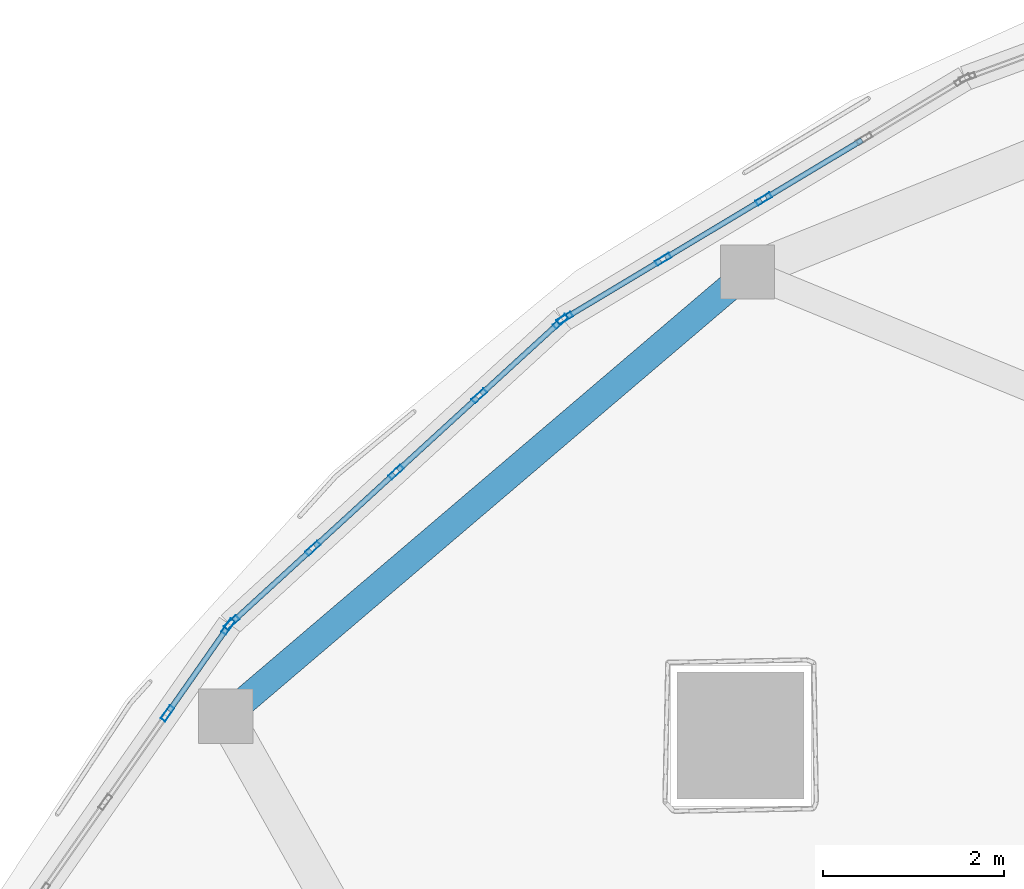
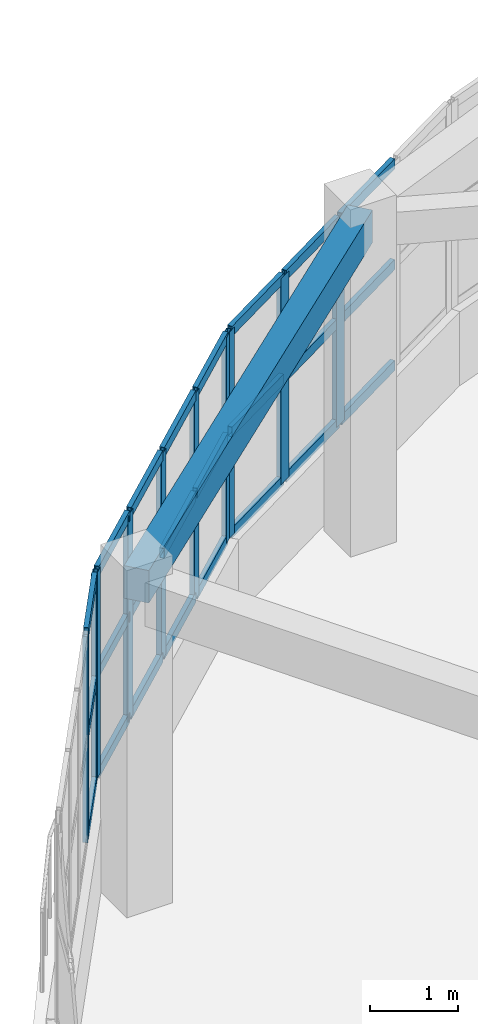
# One storey, part 22 of 69: 34 members, 1 beam, 3 elements without a shape of their own.
"""IFC4 building model written with IfcOpenShell, lengths in metres."""

from ifc_helpers import new_model, si_unit, direction, frame, origin, origin_2d, place, context, subcontext, project, spatial, rectangle, hollow_rectangle, extrude, material, layer, layer_set, material_profile, profile_set, type_object, element, aggregate, save


model = new_model("IFC4")

# Units and contexts
model_context = context("Model", 3, precision=1e-05, world=origin(), true_north=direction((0.0, 1.0)))
body_context = subcontext(model_context, "Body", "Model", "MODEL_VIEW")
ifc_project = project(units=[si_unit("LENGTHUNIT", "METRE"), si_unit("AREAUNIT", "SQUARE_METRE"), si_unit("VOLUMEUNIT", "CUBIC_METRE"), si_unit("PLANEANGLEUNIT", "RADIAN"), si_unit("MASSUNIT", "GRAM", prefix="KILO")], contexts=[model_context])

# Site, building, storey
site_placement = place(None, origin())
site = spatial("IfcSite", under=ifc_project, at=site_placement, CompositionType="ELEMENT")
building_placement = place(site_placement, origin())
building = spatial("IfcBuilding", under=site, at=building_placement, Name="Pelvatis Terrace Science Centre", CompositionType="ELEMENT")
storey_placement = place(building_placement, frame((0.0, 0.0, 15.0)))
storey = spatial("IfcBuildingStorey", under=building, at=storey_placement, Name="L03", CompositionType="ELEMENT", Elevation=15.0)

# Beam
ifc_material_1 = material(Name="Concrete C35/45", Category="concrete")
ifc_material_profile_1 = material_profile(ifc_material_1, rectangle(XDim=0.300048828125, YDim=0.449951171875, at=origin_2d()), Name="RC-BM 300x450")
ifc_profile_set_1 = profile_set([ifc_material_profile_1], Name="Concrete C35/45")
beam_type = type_object("IfcBeamType", Name="BM-RC-300x450", PredefinedType="BEAM", material=ifc_profile_set_1)
beam_placement = place(storey_placement, frame((94.575927734375, 100.61376953125, 4.324951171875), z_axis=(-0.761281604666, -0.64842140495, 0.0), x_axis=(0.64842140495, -0.761281604666, 0.0)))
element("IfcBeam", 1, at=beam_placement, inside=storey, type_object=beam_type, Name="Beam BM-L03-3021", PredefinedType="BEAM", context=body_context, shape_type="SweptSolid", body=[
    extrude(rectangle(XDim=0.300048828125, YDim=0.449951171875, at=origin_2d()), origin(), (0.0, 0.0, 1.0), 7.560546875),
])

# Curtain wall, members
ifc_material_2 = material(Name="Bronze-anodised aluminium and laminated glass", Category="aluminium")
ifc_layer = layer(ifc_material_2, 0.179931640625)
ifc_layer_set = layer_set([ifc_layer], Name="Bronze-anodised aluminium and laminated glass")
curtain_wall_type = type_object("IfcCurtainWallType", Name="CW-RIBBON-A", PredefinedType="NOTDEFINED", material=ifc_layer_set)
curtain_wall_1_placement = place(storey_placement, origin())
curtain_wall_1 = element("IfcCurtainWall", 2, at=curtain_wall_1_placement, inside=storey, type_object=curtain_wall_type, Name="Ribbon curtain wall CW-193 (L03)", PredefinedType="NOTDEFINED")
ifc_material_3 = material(Name="Bronze-anodised aluminium 6063-T6", Category="aluminium")
ifc_material_profile_2 = material_profile(ifc_material_3, hollow_rectangle(XDim=0.06005859375, YDim=0.179931640625, WallThickness=0.00390625, at=origin_2d()), Name="ALU-MUL 60x180")
ifc_profile_set_2 = profile_set([ifc_material_profile_2], Name="Bronze-anodised aluminium 6063-T6")
member_type_1 = type_object("IfcMemberType", Name="CWM-60x180", PredefinedType="MULLION", material=ifc_profile_set_2)
member_1_placement = place(storey_placement, frame((94.755126953125, 101.419189453125, 1.02001953125), z_axis=(0.0, 0.0, 1.0), x_axis=(0.51399559594, -0.857792823096, 0.0)))
member_1 = element("IfcMember", 3, at=member_1_placement, type_object=member_type_1, Name="CW-193 mullion 3", PredefinedType="MULLION", context=body_context, shape_type="SweptSolid", body=[
    extrude(hollow_rectangle(XDim=0.06005859375, YDim=0.179931640625, WallThickness=0.00390625, at=origin_2d()), origin(), (0.0, 0.0, 1.0), 2.85009765625),
])
member_2_placement = place(storey_placement, frame((93.645263671875, 100.754150390625, 1.02001953125), z_axis=(0.0, 0.0, 1.0), x_axis=(0.51399559594, -0.857792823096, 0.0)))
member_2 = element("IfcMember", 4, at=member_2_placement, type_object=member_type_1, Name="CW-193 mullion 4", PredefinedType="MULLION", context=body_context, shape_type="SweptSolid", body=[
    extrude(hollow_rectangle(XDim=0.06005859375, YDim=0.179931640625, WallThickness=0.00390625, at=origin_2d()), origin(), (0.0, 0.0, 1.0), 2.85009765625),
])
member_3_placement = place(storey_placement, frame((92.56103515625, 100.1044921875, 1.02001953125), z_axis=(0.0, 0.0, 1.0), x_axis=(0.51399559594, -0.857792823096, 0.0)))
member_3 = element("IfcMember", 5, at=member_3_placement, type_object=member_type_1, Name="CW-193 mullion 5", PredefinedType="MULLION", context=body_context, shape_type="SweptSolid", body=[
    extrude(hollow_rectangle(XDim=0.06005859375, YDim=0.179931640625, WallThickness=0.00390625, at=origin_2d()), origin(), (0.0, 0.0, 1.0), 2.85009765625),
])

curtain_wall_2_placement = place(storey_placement, origin())
curtain_wall_2 = element("IfcCurtainWall", 6, at=curtain_wall_2_placement, inside=storey, type_object=curtain_wall_type, Name="Ribbon curtain wall CW-194 (L03)", PredefinedType="NOTDEFINED")
member_4_placement = place(storey_placement, frame((92.51318359375, 100.06884765625, 1.02001953125), z_axis=(0.0, 0.0, 1.0), x_axis=(0.675451772708, -0.737404165127, 0.0)))
member_4 = element("IfcMember", 7, at=member_4_placement, type_object=member_type_1, Name="CW-194 mullion 1", PredefinedType="MULLION", context=body_context, shape_type="SweptSolid", body=[
    extrude(hollow_rectangle(XDim=0.06005859375, YDim=0.179931640625, WallThickness=0.00390625, at=origin_2d()), origin(), (0.0, 0.0, 1.0), 2.85009765625),
])
member_5_placement = place(storey_placement, frame((91.6171875, 99.248291015625, 1.02001953125), z_axis=(0.0, 0.0, 1.0), x_axis=(0.675451772708, -0.737404165127, 0.0)))
member_5 = element("IfcMember", 8, at=member_5_placement, type_object=member_type_1, Name="CW-194 mullion 2", PredefinedType="MULLION", context=body_context, shape_type="SweptSolid", body=[
    extrude(hollow_rectangle(XDim=0.06005859375, YDim=0.179931640625, WallThickness=0.00390625, at=origin_2d()), origin(), (0.0, 0.0, 1.0), 2.85009765625),
])
member_6_placement = place(storey_placement, frame((90.69921875, 98.407470703125, 1.02001953125), z_axis=(0.0, 0.0, 1.0), x_axis=(0.675451772708, -0.737404165127, 0.0)))
member_6 = element("IfcMember", 9, at=member_6_placement, type_object=member_type_1, Name="CW-194 mullion 3", PredefinedType="MULLION", context=body_context, shape_type="SweptSolid", body=[
    extrude(hollow_rectangle(XDim=0.06005859375, YDim=0.179931640625, WallThickness=0.00390625, at=origin_2d()), origin(), (0.0, 0.0, 1.0), 2.85009765625),
])
member_7_placement = place(storey_placement, frame((89.78125, 97.56640625, 1.02001953125), z_axis=(0.0, 0.0, 1.0), x_axis=(0.675451772708, -0.737404165127, 0.0)))
member_7 = element("IfcMember", 10, at=member_7_placement, type_object=member_type_1, Name="CW-194 mullion 4", PredefinedType="MULLION", context=body_context, shape_type="SweptSolid", body=[
    extrude(hollow_rectangle(XDim=0.06005859375, YDim=0.179931640625, WallThickness=0.00390625, at=origin_2d()), origin(), (0.0, 0.0, 1.0), 2.85009765625),
])
member_8_placement = place(storey_placement, frame((88.885498046875, 96.745849609375, 1.02001953125), z_axis=(0.0, 0.0, 1.0), x_axis=(0.675451772708, -0.737404165127, 0.0)))
member_8 = element("IfcMember", 11, at=member_8_placement, type_object=member_type_1, Name="CW-194 mullion 5", PredefinedType="MULLION", context=body_context, shape_type="SweptSolid", body=[
    extrude(hollow_rectangle(XDim=0.06005859375, YDim=0.179931640625, WallThickness=0.00390625, at=origin_2d()), origin(), (0.0, 0.0, 1.0), 2.85009765625),
])

curtain_wall_3_placement = place(storey_placement, origin())
curtain_wall_3 = element("IfcCurtainWall", 12, at=curtain_wall_3_placement, inside=storey, type_object=curtain_wall_type, Name="Ribbon curtain wall CW-195 (L03)", PredefinedType="NOTDEFINED")
member_9_placement = place(storey_placement, frame((88.84619140625, 96.700927734375, 1.02001953125), z_axis=(0.0, 0.0, 1.0), x_axis=(0.81922799303, -0.573467955021, 0.0)))
member_9 = element("IfcMember", 13, at=member_9_placement, type_object=member_type_1, Name="CW-195 mullion 1", PredefinedType="MULLION", context=body_context, shape_type="SweptSolid", body=[
    extrude(hollow_rectangle(XDim=0.06005859375, YDim=0.179931640625, WallThickness=0.00390625, at=origin_2d()), origin(), (0.0, 0.0, 1.0), 2.85009765625),
])
member_10_placement = place(storey_placement, frame((88.17724609375, 95.74560546875, 1.02001953125), z_axis=(0.0, 0.0, 1.0), x_axis=(0.81922799303, -0.573467955021, 0.0)))
member_10 = element("IfcMember", 14, at=member_10_placement, type_object=member_type_1, Name="CW-195 mullion 2", PredefinedType="MULLION", context=body_context, shape_type="SweptSolid", body=[
    extrude(hollow_rectangle(XDim=0.06005859375, YDim=0.179931640625, WallThickness=0.00390625, at=origin_2d()), origin(), (0.0, 0.0, 1.0), 2.85009765625),
])

# Member
ifc_material_4 = material(Name="Bronze-anodised aluminium 6063-T6", Category="aluminium")
ifc_material_profile_3 = material_profile(ifc_material_4, hollow_rectangle(XDim=0.06005859375, YDim=0.139892578125, WallThickness=0.00390625, at=origin_2d()), Name="ALU-TRN 60x140")
ifc_profile_set_3 = profile_set([ifc_material_profile_3], Name="Bronze-anodised aluminium 6063-T6")
member_type_2 = type_object("IfcMemberType", Name="CWT-60x140", PredefinedType="USERDEFINED", material=ifc_profile_set_3)
member_11_placement = place(storey_placement, frame((95.83935546875, 102.06884765625, 1.050048828125), z_axis=(-0.857806972288, -0.513971982012, 0.0), x_axis=(0.513971982012, -0.857806972288, 0.0)))
member_11 = element("IfcMember", 15, at=member_11_placement, type_object=member_type_2, Name="CW-193 transom 2.1", ObjectType="TRANSOM", PredefinedType="USERDEFINED", context=body_context, shape_type="SweptSolid", body=[
    extrude(hollow_rectangle(XDim=0.06005859375, YDim=0.139892578125, WallThickness=0.00390625, at=origin_2d()), origin(), (0.0, 0.0, 1.0), 1.234130859375),
])

member_12_placement = place(storey_placement, frame((95.83935546875, 102.06884765625, 2.445068359375), z_axis=(-0.857806972288, -0.513971982012, 0.0), x_axis=(0.513971982012, -0.857806972288, 0.0)))
member_12 = element("IfcMember", 16, at=member_12_placement, type_object=member_type_2, Name="CW-193 transom 2.2", ObjectType="TRANSOM", PredefinedType="USERDEFINED", context=body_context, shape_type="SweptSolid", body=[
    extrude(hollow_rectangle(XDim=0.06005859375, YDim=0.139892578125, WallThickness=0.00390625, at=origin_2d()), origin(), (0.0, 0.0, 1.0), 1.234130859375),
])

member_13_placement = place(storey_placement, frame((95.83935546875, 102.06884765625, 3.840087890625), z_axis=(-0.857806972288, -0.513971982012, 0.0), x_axis=(0.513971982012, -0.857806972288, 0.0)))
member_13 = element("IfcMember", 17, at=member_13_placement, type_object=member_type_2, Name="CW-193 transom 2.3", ObjectType="TRANSOM", PredefinedType="USERDEFINED", context=body_context, shape_type="SweptSolid", body=[
    extrude(hollow_rectangle(XDim=0.06005859375, YDim=0.139892578125, WallThickness=0.00390625, at=origin_2d()), origin(), (0.0, 0.0, 1.0), 1.234130859375),
])

member_14_placement = place(storey_placement, frame((94.7294921875, 101.40380859375, 1.050048828125), z_axis=(-0.857806972288, -0.513971982012, 0.0), x_axis=(0.513971982012, -0.857806972288, 0.0)))
member_14 = element("IfcMember", 18, at=member_14_placement, type_object=member_type_2, Name="CW-193 transom 3.1", ObjectType="TRANSOM", PredefinedType="USERDEFINED", context=body_context, shape_type="SweptSolid", body=[
    extrude(hollow_rectangle(XDim=0.06005859375, YDim=0.139892578125, WallThickness=0.00390625, at=origin_2d()), origin(), (0.0, 0.0, 1.0), 1.234130859375),
])

member_15_placement = place(storey_placement, frame((94.7294921875, 101.40380859375, 2.445068359375), z_axis=(-0.857806972288, -0.513971982012, 0.0), x_axis=(0.513971982012, -0.857806972288, 0.0)))
member_15 = element("IfcMember", 19, at=member_15_placement, type_object=member_type_2, Name="CW-193 transom 3.2", ObjectType="TRANSOM", PredefinedType="USERDEFINED", context=body_context, shape_type="SweptSolid", body=[
    extrude(hollow_rectangle(XDim=0.06005859375, YDim=0.139892578125, WallThickness=0.00390625, at=origin_2d()), origin(), (0.0, 0.0, 1.0), 1.234130859375),
])

member_16_placement = place(storey_placement, frame((94.7294921875, 101.40380859375, 3.840087890625), z_axis=(-0.857806972288, -0.513971982012, 0.0), x_axis=(0.513971982012, -0.857806972288, 0.0)))
member_16 = element("IfcMember", 20, at=member_16_placement, type_object=member_type_2, Name="CW-193 transom 3.3", ObjectType="TRANSOM", PredefinedType="USERDEFINED", context=body_context, shape_type="SweptSolid", body=[
    extrude(hollow_rectangle(XDim=0.06005859375, YDim=0.139892578125, WallThickness=0.00390625, at=origin_2d()), origin(), (0.0, 0.0, 1.0), 1.234130859375),
])

member_17_placement = place(storey_placement, frame((93.619384765625, 100.73876953125, 1.050048828125), z_axis=(-0.857761194899, -0.514048375666, 0.0), x_axis=(0.514048375666, -0.857761194899, 0.0)))
member_17 = element("IfcMember", 21, at=member_17_placement, type_object=member_type_2, Name="CW-193 transom 4.1", ObjectType="TRANSOM", PredefinedType="USERDEFINED", context=body_context, shape_type="SweptSolid", body=[
    extrude(hollow_rectangle(XDim=0.06005859375, YDim=0.139892578125, WallThickness=0.00390625, at=origin_2d()), origin(), (0.0, 0.0, 1.0), 1.203857421875),
])

member_18_placement = place(storey_placement, frame((93.619384765625, 100.73876953125, 2.445068359375), z_axis=(-0.857761194899, -0.514048375666, 0.0), x_axis=(0.514048375666, -0.857761194899, 0.0)))
member_18 = element("IfcMember", 22, at=member_18_placement, type_object=member_type_2, Name="CW-193 transom 4.2", ObjectType="TRANSOM", PredefinedType="USERDEFINED", context=body_context, shape_type="SweptSolid", body=[
    extrude(hollow_rectangle(XDim=0.06005859375, YDim=0.139892578125, WallThickness=0.00390625, at=origin_2d()), origin(), (0.0, 0.0, 1.0), 1.203857421875),
])

member_19_placement = place(storey_placement, frame((93.619384765625, 100.73876953125, 3.840087890625), z_axis=(-0.857761194899, -0.514048375666, 0.0), x_axis=(0.514048375666, -0.857761194899, 0.0)))
member_19 = element("IfcMember", 23, at=member_19_placement, type_object=member_type_2, Name="CW-193 transom 4.3", ObjectType="TRANSOM", PredefinedType="USERDEFINED", context=body_context, shape_type="SweptSolid", body=[
    extrude(hollow_rectangle(XDim=0.06005859375, YDim=0.139892578125, WallThickness=0.00390625, at=origin_2d()), origin(), (0.0, 0.0, 1.0), 1.203857421875),
])

aggregate(curtain_wall_1, [member_1, member_2, member_3, member_11, member_12, member_13, member_14, member_15, member_16, member_17, member_18, member_19])

member_20_placement = place(storey_placement, frame((92.490966796875, 100.048583984375, 1.050048828125), z_axis=(-0.737399806304, -0.67545653129, 0.0), x_axis=(0.67545653129, -0.737399806304, 0.0)))
member_20 = element("IfcMember", 24, at=member_20_placement, type_object=member_type_2, Name="CW-194 transom 1.1", ObjectType="TRANSOM", PredefinedType="USERDEFINED", context=body_context, shape_type="SweptSolid", body=[
    extrude(hollow_rectangle(XDim=0.06005859375, YDim=0.139892578125, WallThickness=0.00390625, at=origin_2d()), origin(), (0.0, 0.0, 1.0), 1.15478515625),
])

member_21_placement = place(storey_placement, frame((92.490966796875, 100.048583984375, 2.445068359375), z_axis=(-0.737399806304, -0.67545653129, 0.0), x_axis=(0.67545653129, -0.737399806304, 0.0)))
member_21 = element("IfcMember", 25, at=member_21_placement, type_object=member_type_2, Name="CW-194 transom 1.2", ObjectType="TRANSOM", PredefinedType="USERDEFINED", context=body_context, shape_type="SweptSolid", body=[
    extrude(hollow_rectangle(XDim=0.06005859375, YDim=0.139892578125, WallThickness=0.00390625, at=origin_2d()), origin(), (0.0, 0.0, 1.0), 1.15478515625),
])

member_22_placement = place(storey_placement, frame((92.490966796875, 100.048583984375, 3.840087890625), z_axis=(-0.737399806304, -0.67545653129, 0.0), x_axis=(0.67545653129, -0.737399806304, 0.0)))
member_22 = element("IfcMember", 26, at=member_22_placement, type_object=member_type_2, Name="CW-194 transom 1.3", ObjectType="TRANSOM", PredefinedType="USERDEFINED", context=body_context, shape_type="SweptSolid", body=[
    extrude(hollow_rectangle(XDim=0.06005859375, YDim=0.139892578125, WallThickness=0.00390625, at=origin_2d()), origin(), (0.0, 0.0, 1.0), 1.15478515625),
])

member_23_placement = place(storey_placement, frame((91.59521484375, 99.22802734375, 1.050048828125), z_axis=(-0.737436319154, -0.675416667837, 0.0), x_axis=(0.675416667837, -0.737436319154, 0.0)))
member_23 = element("IfcMember", 27, at=member_23_placement, type_object=member_type_2, Name="CW-194 transom 2.1", ObjectType="TRANSOM", PredefinedType="USERDEFINED", context=body_context, shape_type="SweptSolid", body=[
    extrude(hollow_rectangle(XDim=0.06005859375, YDim=0.139892578125, WallThickness=0.00390625, at=origin_2d()), origin(), (0.0, 0.0, 1.0), 1.184814453125),
])

member_24_placement = place(storey_placement, frame((91.59521484375, 99.22802734375, 2.445068359375), z_axis=(-0.737436319154, -0.675416667837, 0.0), x_axis=(0.675416667837, -0.737436319154, 0.0)))
member_24 = element("IfcMember", 28, at=member_24_placement, type_object=member_type_2, Name="CW-194 transom 2.2", ObjectType="TRANSOM", PredefinedType="USERDEFINED", context=body_context, shape_type="SweptSolid", body=[
    extrude(hollow_rectangle(XDim=0.06005859375, YDim=0.139892578125, WallThickness=0.00390625, at=origin_2d()), origin(), (0.0, 0.0, 1.0), 1.184814453125),
])

member_25_placement = place(storey_placement, frame((91.59521484375, 99.22802734375, 3.840087890625), z_axis=(-0.737436319154, -0.675416667837, 0.0), x_axis=(0.675416667837, -0.737436319154, 0.0)))
member_25 = element("IfcMember", 29, at=member_25_placement, type_object=member_type_2, Name="CW-194 transom 2.3", ObjectType="TRANSOM", PredefinedType="USERDEFINED", context=body_context, shape_type="SweptSolid", body=[
    extrude(hollow_rectangle(XDim=0.06005859375, YDim=0.139892578125, WallThickness=0.00390625, at=origin_2d()), origin(), (0.0, 0.0, 1.0), 1.184814453125),
])

member_26_placement = place(storey_placement, frame((90.67724609375, 98.38720703125, 1.050048828125), z_axis=(-0.737333698519, -0.675528694452, 0.0), x_axis=(0.675528694452, -0.737333698519, 0.0)))
member_26 = element("IfcMember", 30, at=member_26_placement, type_object=member_type_2, Name="CW-194 transom 3.1", ObjectType="TRANSOM", PredefinedType="USERDEFINED", context=body_context, shape_type="SweptSolid", body=[
    extrude(hollow_rectangle(XDim=0.06005859375, YDim=0.139892578125, WallThickness=0.00390625, at=origin_2d()), origin(), (0.0, 0.0, 1.0), 1.18505859375),
])

member_27_placement = place(storey_placement, frame((90.67724609375, 98.38720703125, 2.445068359375), z_axis=(-0.737333698519, -0.675528694452, 0.0), x_axis=(0.675528694452, -0.737333698519, 0.0)))
member_27 = element("IfcMember", 31, at=member_27_placement, type_object=member_type_2, Name="CW-194 transom 3.2", ObjectType="TRANSOM", PredefinedType="USERDEFINED", context=body_context, shape_type="SweptSolid", body=[
    extrude(hollow_rectangle(XDim=0.06005859375, YDim=0.139892578125, WallThickness=0.00390625, at=origin_2d()), origin(), (0.0, 0.0, 1.0), 1.18505859375),
])

member_28_placement = place(storey_placement, frame((90.67724609375, 98.38720703125, 3.840087890625), z_axis=(-0.737333698519, -0.675528694452, 0.0), x_axis=(0.675528694452, -0.737333698519, 0.0)))
member_28 = element("IfcMember", 32, at=member_28_placement, type_object=member_type_2, Name="CW-194 transom 3.3", ObjectType="TRANSOM", PredefinedType="USERDEFINED", context=body_context, shape_type="SweptSolid", body=[
    extrude(hollow_rectangle(XDim=0.06005859375, YDim=0.139892578125, WallThickness=0.00390625, at=origin_2d()), origin(), (0.0, 0.0, 1.0), 1.18505859375),
])

member_29_placement = place(storey_placement, frame((89.75927734375, 97.546142578125, 1.050048828125), z_axis=(-0.737496237999, -0.67535124116, 0.0), x_axis=(0.67535124116, -0.737496237999, 0.0)))
member_29 = element("IfcMember", 33, at=member_29_placement, type_object=member_type_2, Name="CW-194 transom 4.1", ObjectType="TRANSOM", PredefinedType="USERDEFINED", context=body_context, shape_type="SweptSolid", body=[
    extrude(hollow_rectangle(XDim=0.06005859375, YDim=0.139892578125, WallThickness=0.00390625, at=origin_2d()), origin(), (0.0, 0.0, 1.0), 1.155029296875),
])

member_30_placement = place(storey_placement, frame((89.75927734375, 97.546142578125, 2.445068359375), z_axis=(-0.737496237999, -0.67535124116, 0.0), x_axis=(0.67535124116, -0.737496237999, 0.0)))
member_30 = element("IfcMember", 34, at=member_30_placement, type_object=member_type_2, Name="CW-194 transom 4.2", ObjectType="TRANSOM", PredefinedType="USERDEFINED", context=body_context, shape_type="SweptSolid", body=[
    extrude(hollow_rectangle(XDim=0.06005859375, YDim=0.139892578125, WallThickness=0.00390625, at=origin_2d()), origin(), (0.0, 0.0, 1.0), 1.155029296875),
])

member_31_placement = place(storey_placement, frame((89.75927734375, 97.546142578125, 3.840087890625), z_axis=(-0.737496237999, -0.67535124116, 0.0), x_axis=(0.67535124116, -0.737496237999, 0.0)))
member_31 = element("IfcMember", 35, at=member_31_placement, type_object=member_type_2, Name="CW-194 transom 4.3", ObjectType="TRANSOM", PredefinedType="USERDEFINED", context=body_context, shape_type="SweptSolid", body=[
    extrude(hollow_rectangle(XDim=0.06005859375, YDim=0.139892578125, WallThickness=0.00390625, at=origin_2d()), origin(), (0.0, 0.0, 1.0), 1.155029296875),
])

aggregate(curtain_wall_2, [member_4, member_5, member_6, member_7, member_8, member_20, member_21, member_22, member_23, member_24, member_25, member_26, member_27, member_28, member_29, member_30, member_31])

member_32_placement = place(storey_placement, frame((88.828857421875, 96.676513671875, 1.050048828125), z_axis=(-0.573403092011, -0.819273393973, 0.0), x_axis=(0.819273393973, -0.573403092011, 0.0)))
member_32 = element("IfcMember", 36, at=member_32_placement, type_object=member_type_2, Name="CW-195 transom 1.1", ObjectType="TRANSOM", PredefinedType="USERDEFINED", context=body_context, shape_type="SweptSolid", body=[
    extrude(hollow_rectangle(XDim=0.06005859375, YDim=0.139892578125, WallThickness=0.00390625, at=origin_2d()), origin(), (0.0, 0.0, 1.0), 1.106201171875),
])

member_33_placement = place(storey_placement, frame((88.828857421875, 96.676513671875, 2.445068359375), z_axis=(-0.573403092011, -0.819273393973, 0.0), x_axis=(0.819273393973, -0.573403092011, 0.0)))
member_33 = element("IfcMember", 37, at=member_33_placement, type_object=member_type_2, Name="CW-195 transom 1.2", ObjectType="TRANSOM", PredefinedType="USERDEFINED", context=body_context, shape_type="SweptSolid", body=[
    extrude(hollow_rectangle(XDim=0.06005859375, YDim=0.139892578125, WallThickness=0.00390625, at=origin_2d()), origin(), (0.0, 0.0, 1.0), 1.106201171875),
])

member_34_placement = place(storey_placement, frame((88.828857421875, 96.676513671875, 3.840087890625), z_axis=(-0.573403092011, -0.819273393973, 0.0), x_axis=(0.819273393973, -0.573403092011, 0.0)))
member_34 = element("IfcMember", 38, at=member_34_placement, type_object=member_type_2, Name="CW-195 transom 1.3", ObjectType="TRANSOM", PredefinedType="USERDEFINED", context=body_context, shape_type="SweptSolid", body=[
    extrude(hollow_rectangle(XDim=0.06005859375, YDim=0.139892578125, WallThickness=0.00390625, at=origin_2d()), origin(), (0.0, 0.0, 1.0), 1.106201171875),
])

aggregate(curtain_wall_3, [member_9, member_10, member_32, member_33, member_34])

save(model, "model.ifc")
